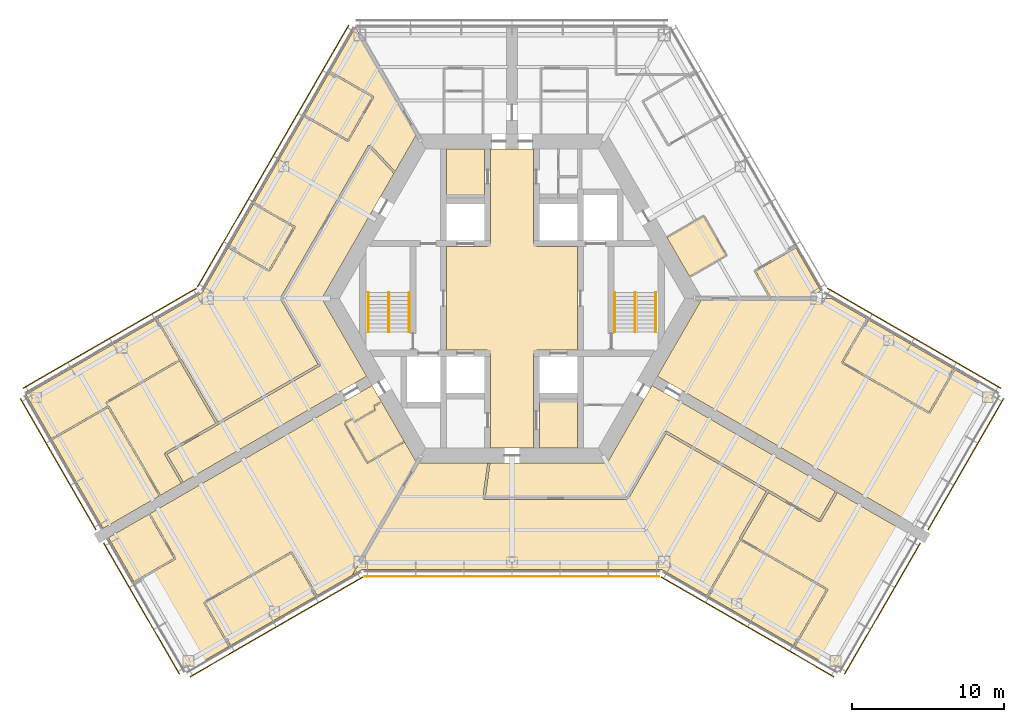
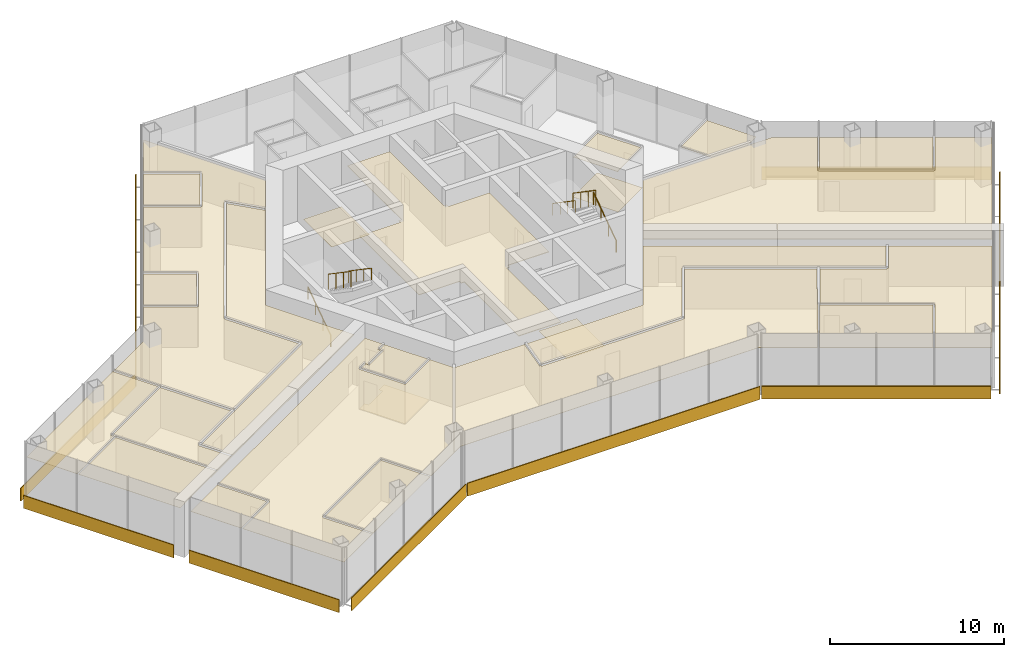
# One storey, part 17 of 18: 24 coverings, 10 shading devices, 6 railings.
"""IFC4 building model written with IfcOpenShell, lengths in metres."""

from ifc_helpers import new_model, si_unit, direction, frame, origin, origin_2d, place, context, subcontext, project, spatial, polyline, rectangle, circle, outline, extrude, material, layer, layer_set, type_object, element, save


model = new_model("IFC4")

# Units and contexts
model_context = context("Model", 3, precision=1e-05, world=origin(), true_north=direction((0.0, 1.0)))
body_context = subcontext(model_context, "Body", "Model", "MODEL_VIEW")
ifc_project = project(units=[si_unit("LENGTHUNIT", "METRE"), si_unit("AREAUNIT", "SQUARE_METRE"), si_unit("VOLUMEUNIT", "CUBIC_METRE"), si_unit("PLANEANGLEUNIT", "RADIAN"), si_unit("MASSUNIT", "GRAM", prefix="KILO")], contexts=[model_context])

# Site, building, storey
site_placement = place(None, origin())
site = spatial("IfcSite", under=ifc_project, at=site_placement, CompositionType="ELEMENT")
building_placement = place(site_placement, origin())
building = spatial("IfcBuilding", under=site, at=building_placement, Name="Kasaneha Research Tower", CompositionType="ELEMENT")
storey_placement = place(building_placement, frame((0.0, 0.0, 144.800048828125)))
storey = spatial("IfcBuildingStorey", under=building, at=storey_placement, Name="L36", CompositionType="ELEMENT", Elevation=144.800048828125)

# Covering
ifc_material_1 = material(Name="Aluminium panel ceiling", Category="aluminium")
ifc_layer_1 = layer(ifc_material_1, 0.0400390625)
ifc_layer_set_1 = layer_set([ifc_layer_1], Name="Lift lobby ceiling 40")
covering_type_1 = type_object("IfcCoveringType", Name="Lift lobby ceiling 40", PredefinedType="CEILING", material=ifc_layer_set_1)
covering_1_placement = place(storey_placement, frame((0.0, 0.0, 2.699951171875)))
element("IfcCovering", 1, at=covering_1_placement, inside=storey, type_object=covering_type_1, Name="Ceiling L36-01", PredefinedType="CEILING", context=body_context, shape_type="SweptSolid", body=[
    extrude(outline(polyline([(1.39990234375, 9.824951171875), (1.39990234375, 3.60009765625), (1.60009765625, 3.60009765625), (1.60009765625, 3.39990234375), (4.300048828125, 3.39990234375), (4.300048828125, -3.39990234375), (1.60009765625, -3.39990234375), (1.60009765625, -3.60009765625), (1.39990234375, -3.60009765625), (1.39990234375, -9.824951171875), (-1.39990234375, -9.824951171875), (-1.39990234375, -3.60009765625), (-1.60009765625, -3.60009765625), (-1.60009765625, -3.39990234375), (-4.300048828125, -3.39990234375), (-4.300048828125, 3.39990234375), (-1.60009765625, 3.39990234375), (-1.60009765625, 3.60009765625), (-1.39990234375, 3.60009765625), (-1.39990234375, 9.824951171875), (1.39990234375, 9.824951171875)])), origin(), (0.0, 0.0, 1.0), 0.0400390625),
])

# Railings
ifc_material_2 = material(Name="Steel", Category="steel")
railing_type_1 = type_object("IfcRailingType", Name="Stair balustrade 1100", PredefinedType="GUARDRAIL", material=ifc_material_2)
for number, where, name in (
    (2, (8.10009765625, 0.39990234375, 2.127197265625), "Stair 1 balustrade L36"),
    (3, (-8.10009765625, 0.39990234375, 2.127197265625), "Stair 2 balustrade L36"),
):
    element("IfcRailing", number, at=place(storey_placement, frame(where)), inside=storey, type_object=railing_type_1, Name=name, PredefinedType="GUARDRAIL", context=body_context, shape_type="SweptSolid", body=[
        extrude(circle(Radius=0.02392578125, at=origin_2d()), frame((0.0, 0.0, 1.076171875), z_axis=(0.0, -0.826215852431, 0.563353676824), x_axis=(1.0, 0.0, 0.0)), (0.0, 0.0, 1.0), 3.146728515625),
        extrude(circle(Radius=0.02099609375, at=origin_2d()), origin(), (0.0, 0.0, 1.0), 1.052001953125),
        extrude(circle(Radius=0.02099609375, at=origin_2d()), frame((0.0, -0.86669921875, 0.5908203125)), (0.0, 0.0, 1.0), 1.052001953125),
        extrude(circle(Radius=0.02099609375, at=origin_2d()), frame((0.0, -1.733154296875, 1.181884765625)), (0.0, 0.0, 1.0), 1.052001953125),
        extrude(circle(Radius=0.02099609375, at=origin_2d()), frame((0.0, -2.599853515625, 1.772705078125)), (0.0, 0.0, 1.0), 1.052001953125),
    ])
ifc_material_3 = material(Name="Steel", Category="steel")
railing_type_2 = type_object("IfcRailingType", Name="Stair handrail 850", PredefinedType="HANDRAIL", material=ifc_material_3)
railing_1_placement = place(storey_placement, frame((9.449951171875, -2.199951171875, 0.17724609375)))
element("IfcRailing", 4, at=railing_1_placement, inside=storey, type_object=railing_type_2, Name="Stair 1 handrail L36", PredefinedType="HANDRAIL", context=body_context, shape_type="SweptSolid", body=[
    extrude(circle(Radius=0.02392578125, at=origin_2d()), frame((0.0, 0.0, 0.826171875), z_axis=(0.0, 0.826215852431, 0.563353676824), x_axis=(-1.0, 0.0, 0.0)), (0.0, 0.0, 1.0), 3.146728515625),
    extrude(circle(Radius=0.02099609375, at=origin_2d()), origin(), (0.0, 0.0, 1.0), 0.802001953125),
    extrude(circle(Radius=0.02099609375, at=origin_2d()), frame((0.0, 0.86669921875, 0.5908203125)), (0.0, 0.0, 1.0), 0.802001953125),
    extrude(circle(Radius=0.02099609375, at=origin_2d()), frame((0.0, 1.733154296875, 1.181884765625)), (0.0, 0.0, 1.0), 0.802001953125),
    extrude(circle(Radius=0.02099609375, at=origin_2d()), frame((0.0, 2.599853515625, 1.772705078125)), (0.0, 0.0, 1.0), 0.802001953125),
])
railing_2_placement = place(storey_placement, frame((6.75, 0.39990234375, 2.127197265625)))
element("IfcRailing", 5, at=railing_2_placement, inside=storey, type_object=railing_type_2, Name="Stair 1 handrail L36", PredefinedType="HANDRAIL", context=body_context, shape_type="SweptSolid", body=[
    extrude(circle(Radius=0.02392578125, at=origin_2d()), frame((0.0, 0.0, 0.826171875), z_axis=(0.0, -0.826215852431, 0.563353676824), x_axis=(1.0, 0.0, 0.0)), (0.0, 0.0, 1.0), 3.146728515625),
    extrude(circle(Radius=0.02099609375, at=origin_2d()), origin(), (0.0, 0.0, 1.0), 0.802001953125),
    extrude(circle(Radius=0.02099609375, at=origin_2d()), frame((0.0, -0.86669921875, 0.5908203125)), (0.0, 0.0, 1.0), 0.802001953125),
    extrude(circle(Radius=0.02099609375, at=origin_2d()), frame((0.0, -1.733154296875, 1.181884765625)), (0.0, 0.0, 1.0), 0.802001953125),
    extrude(circle(Radius=0.02099609375, at=origin_2d()), frame((0.0, -2.599853515625, 1.772705078125)), (0.0, 0.0, 1.0), 0.802001953125),
])
railing_3_placement = place(storey_placement, frame((-9.449951171875, -2.199951171875, 0.17724609375)))
element("IfcRailing", 6, at=railing_3_placement, inside=storey, type_object=railing_type_2, Name="Stair 2 handrail L36", PredefinedType="HANDRAIL", context=body_context, shape_type="SweptSolid", body=[
    extrude(circle(Radius=0.02392578125, at=origin_2d()), frame((0.0, 0.0, 0.826171875), z_axis=(0.0, 0.826215852431, 0.563353676824), x_axis=(-1.0, 0.0, 0.0)), (0.0, 0.0, 1.0), 3.146728515625),
    extrude(circle(Radius=0.02099609375, at=origin_2d()), origin(), (0.0, 0.0, 1.0), 0.802001953125),
    extrude(circle(Radius=0.02099609375, at=origin_2d()), frame((0.0, 0.86669921875, 0.5908203125)), (0.0, 0.0, 1.0), 0.802001953125),
    extrude(circle(Radius=0.02099609375, at=origin_2d()), frame((0.0, 1.733154296875, 1.181884765625)), (0.0, 0.0, 1.0), 0.802001953125),
    extrude(circle(Radius=0.02099609375, at=origin_2d()), frame((0.0, 2.599853515625, 1.772705078125)), (0.0, 0.0, 1.0), 0.802001953125),
])
railing_4_placement = place(storey_placement, frame((-6.75, 0.39990234375, 2.127197265625)))
element("IfcRailing", 7, at=railing_4_placement, inside=storey, type_object=railing_type_2, Name="Stair 2 handrail L36", PredefinedType="HANDRAIL", context=body_context, shape_type="SweptSolid", body=[
    extrude(circle(Radius=0.02392578125, at=origin_2d()), frame((0.0, 0.0, 0.826171875), z_axis=(0.0, -0.826215852431, 0.563353676824), x_axis=(1.0, 0.0, 0.0)), (0.0, 0.0, 1.0), 3.146728515625),
    extrude(circle(Radius=0.02099609375, at=origin_2d()), origin(), (0.0, 0.0, 1.0), 0.802001953125),
    extrude(circle(Radius=0.02099609375, at=origin_2d()), frame((0.0, -0.86669921875, 0.5908203125)), (0.0, 0.0, 1.0), 0.802001953125),
    extrude(circle(Radius=0.02099609375, at=origin_2d()), frame((0.0, -1.733154296875, 1.181884765625)), (0.0, 0.0, 1.0), 0.802001953125),
    extrude(circle(Radius=0.02099609375, at=origin_2d()), frame((0.0, -2.599853515625, 1.772705078125)), (0.0, 0.0, 1.0), 0.802001953125),
])

# Coverings
ifc_material_4 = material(Name="Gypsum ceiling board", Category="gypsum")
ifc_layer_2 = layer(ifc_material_4, 0.02001953125)
ifc_layer_set_2 = layer_set([ifc_layer_2], Name="Suspended ceiling 20")
covering_type_2 = type_object("IfcCoveringType", Name="Suspended ceiling 20", PredefinedType="CEILING", material=ifc_layer_set_2)
covering_2_placement = place(storey_placement, frame((0.0, 0.0, 2.800048828125)))
element("IfcCovering", 8, at=covering_2_placement, inside=storey, type_object=covering_type_2, Name="Ceiling L36-27", PredefinedType="CEILING", context=body_context, shape_type="SweptSolid", body=[
    extrude(outline(polyline([(10.1748046875, 4.02685546875), (10.192138671875, 4.036865234375), (10.217041015625, 3.99365234375), (12.581298828125, 5.358642578125), (14.03125, 2.84716796875), (11.6669921875, 1.482177734375), (11.692138671875, 1.438720703125), (11.6748046875, 1.4287109375), (10.1748046875, 4.02685546875)])), origin(), (0.0, 0.0, 1.0), 0.02001953125),
])
covering_3_placement = place(storey_placement, frame((0.0, 0.0, 2.800048828125)))
element("IfcCovering", 9, at=covering_3_placement, inside=storey, type_object=covering_type_2, Name="Ceiling L36-29", PredefinedType="CEILING", context=body_context, shape_type="SweptSolid", body=[
    extrude(outline(polyline([(19.41845703125, 0.0), (16.997802734375, 0.0), (16.986328125, 0.02001953125), (17.029541015625, 0.044921875), (16.020751953125, 1.792236328125), (18.644775390625, 3.30712890625), (18.619873046875, 3.3505859375), (18.63720703125, 3.360595703125), (20.28759765625, 0.501708984375), (19.41845703125, 0.0)])), origin(), (0.0, 0.0, 1.0), 0.02001953125),
])
covering_4_placement = place(storey_placement, frame((0.0, 0.0, 2.800048828125)))
element("IfcCovering", 10, at=covering_4_placement, inside=storey, type_object=covering_type_2, Name="Ceiling L36-35", PredefinedType="CEILING", context=body_context, shape_type="SweptSolid", body=[
    extrude(outline(polyline([(-9.5498046875, -5.109375), (-10.3291015625, -5.559326171875), (-10.3291015625, -5.559326171875), (-12.17041015625, -6.622314453125), (-21.670166015625, -12.107177734375), (-21.68017578125, -12.08984375), (-21.615234375, -12.05224609375), (-22.667724609375, -10.229248046875), (-19.333984375, -8.3046875), (-19.333984375, -8.3046875), (-12.60400390625, -4.4189453125), (-12.6416015625, -4.35400390625), (-12.57666015625, -4.316650390625), (-15.06884765625, 0.0), (-9.345947265625, 9.912353515625), (-7.7890625, 8.24267578125), (-7.734130859375, 8.2939453125), (-7.719970703125, 8.278564453125), (-12.49951171875, 0.0), (-9.5498046875, -5.109375)])), origin(), (0.0, 0.0, 1.0), 0.02001953125),
])
covering_5_placement = place(storey_placement, frame((0.0, 0.0, 2.800048828125)))
element("IfcCovering", 11, at=covering_5_placement, inside=storey, type_object=covering_type_2, Name="Ceiling L36-36", PredefinedType="CEILING", context=body_context, shape_type="SweptSolid", body=[
    extrude(outline(polyline([(-12.000244140625, 14.85595703125), (-9.185791015625, 13.23095703125), (-10.80126953125, 10.432861328125), (-13.598388671875, 12.0478515625), (-13.623291015625, 12.004638671875), (-13.640869140625, 12.0146484375), (-12.000244140625, 14.85595703125)])), origin(), (0.0, 0.0, 1.0), 0.02001953125),
])
covering_6_placement = place(storey_placement, frame((0.0, 0.0, 2.800048828125)))
element("IfcCovering", 12, at=covering_6_placement, inside=storey, type_object=covering_type_2, Name="Ceiling L36-37", PredefinedType="CEILING", context=body_context, shape_type="SweptSolid", body=[
    extrude(outline(polyline([(-30.224609375, -9.290283203125), (-26.544677734375, -7.172119140625), (-23.19580078125, -12.96484375), (-23.15234375, -12.93994140625), (-23.142333984375, -12.95703125), (-25.3876953125, -14.25341796875), (-26.866455078125, -15.107177734375), (-30.224609375, -9.290283203125)])), origin(), (0.0, 0.0, 1.0), 0.02001953125),
])
covering_7_placement = place(storey_placement, frame((0.0, 0.0, 2.800048828125)))
element("IfcCovering", 13, at=covering_7_placement, inside=storey, type_object=covering_type_2, Name="Ceiling L36-38", PredefinedType="CEILING", context=body_context, shape_type="SweptSolid", body=[
    extrude(outline(polyline([(-16.99658203125, 6.201904296875), (-14.355224609375, 4.677001953125), (-15.970703125, 1.87890625), (-18.5947265625, 3.393798828125), (-18.619873046875, 3.3505859375), (-18.63720703125, 3.360595703125), (-16.99658203125, 6.201904296875)])), origin(), (0.0, 0.0, 1.0), 0.02001953125),
])
covering_8_placement = place(storey_placement, frame((0.0, 0.0, 2.800048828125)))
element("IfcCovering", 14, at=covering_8_placement, inside=storey, type_object=covering_type_2, Name="Ceiling L36-39", PredefinedType="CEILING", context=body_context, shape_type="SweptSolid", body=[
    extrude(outline(polyline([(-23.332275390625, -1.36962890625), (-23.37548828125, -1.39453125), (-21.866455078125, -4.017578125), (-26.691162109375, -6.808837890625), (-26.663818359375, -6.85595703125), (-26.525390625, -7.0966796875), (-26.52587890625, -7.096923828125), (-26.5478515625, -7.058349609375), (-30.275146484375, -9.203857421875), (-31.94189453125, -6.31689453125), (-29.075439453125, -4.661865234375), (-28.665771484375, -5.370849609375), (-29.074951171875, -4.662109375), (-23.34228515625, -1.352294921875), (-23.332275390625, -1.36962890625)])), origin(), (0.0, 0.0, 1.0), 0.02001953125),
])
covering_9_placement = place(storey_placement, frame((0.0, 0.0, 2.800048828125)))
element("IfcCovering", 15, at=covering_9_placement, inside=storey, type_object=covering_type_2, Name="Ceiling L36-40", PredefinedType="CEILING", context=body_context, shape_type="SweptSolid", body=[
    extrude(outline(polyline([(-9.360595703125, 10.037841796875), (-9.360595703125, 10.037841796875), (-9.425048828125, 10.0751953125), (-15.220458984375, 0.03759765625), (-15.15576171875, 0.000244140625), (-15.156005859375, 0.000244140625), (-15.15576171875, -0.000244140625), (-15.220458984375, -0.03759765625), (-12.744140625, -4.32666015625), (-19.33544921875, -8.13232421875), (-21.72900390625, -3.995849609375), (-21.7548828125, -4.0107421875), (-23.288818359375, -1.3447265625), (-23.331787109375, -1.369384765625), (-23.341796875, -1.35205078125), (-20.365966796875, 0.365966796875), (-18.637451171875, 3.360107421875), (-18.6201171875, 3.35009765625), (-18.644775390625, 3.30712890625), (-15.9775390625, 1.76708984375), (-15.952392578125, 1.810546875), (-15.9521484375, 1.810302734375), (-15.9521484375, 1.810302734375), (-15.9091796875, 1.785400390625), (-14.24365234375, 4.670166015625), (-14.28662109375, 4.695068359375), (-14.28662109375, 4.6953125), (-14.286865234375, 4.695556640625), (-14.261962890625, 4.738525390625), (-16.94677734375, 6.28857421875), (-13.64111328125, 12.01416015625), (-13.62353515625, 12.004150390625), (-13.6484375, 11.961181640625), (-10.807861328125, 10.3212890625), (-10.782958984375, 10.3642578125), (-10.78271484375, 10.364013671875), (-10.782470703125, 10.3642578125), (-10.739501953125, 10.339599609375), (-9.07421875, 13.22412109375), (-9.116943359375, 13.2490234375), (-9.116943359375, 13.2490234375), (-9.117431640625, 13.249267578125), (-9.09228515625, 13.29248046875), (-11.9501953125, 14.9423828125), (-10.28857421875, 17.820556640625), (-6.249755859375, 10.824951171875), (-7.6806640625, 8.346435546875), (-9.305419921875, 10.0888671875), (-9.360107421875, 10.03759765625), (-9.3603515625, 10.03759765625), (-9.360595703125, 10.037841796875)])), origin(), (0.0, 0.0, 1.0), 0.02001953125),
])
covering_10_placement = place(storey_placement, frame((0.0, 0.0, 2.800048828125)))
element("IfcCovering", 16, at=covering_10_placement, inside=storey, type_object=covering_type_2, Name="Ceiling L36-41", PredefinedType="CEILING", context=body_context, shape_type="SweptSolid", body=[
    extrude(outline(polyline([(-22.574462890625, -12.629150390625), (-23.14208984375, -12.956787109375), (-23.152099609375, -12.939453125), (-23.109130859375, -12.914794921875), (-26.48583984375, -7.073974609375), (-26.52490234375, -7.096435546875), (-26.65966796875, -6.863037109375), (-26.64111328125, -6.895263671875), (-21.833740234375, -4.1142578125), (-19.46533203125, -8.207275390625), (-22.8076171875, -10.136962890625), (-22.770263671875, -10.201904296875), (-22.835205078125, -10.239501953125), (-21.7451171875, -12.127197265625), (-21.6806640625, -12.090087890625), (-21.670654296875, -12.107421875), (-22.574462890625, -12.629150390625)])), origin(), (0.0, 0.0, 1.0), 0.02001953125),
])
covering_11_placement = place(storey_placement, frame((0.0, 0.0, 2.800048828125)))
element("IfcCovering", 17, at=covering_11_placement, inside=storey, type_object=covering_type_2, Name="Ceiling L36-42", PredefinedType="CEILING", context=body_context, shape_type="SweptSolid", body=[
    extrude(outline(polyline([(-10.35498046875, -8.11474609375), (-10.35498046875, -8.11474609375), (-10.330078125, -8.157958984375), (-8.9443359375, -7.35791015625), (-8.994384765625, -7.271240234375), (-8.994384765625, -7.271240234375), (-9.09423828125, -7.09814453125), (-9.09423828125, -7.09814453125), (-9.0693359375, -7.141357421875), (-8.56689453125, -6.851318359375), (-8.592041015625, -6.80810546875), (-8.57470703125, -6.798095703125), (-7.07470703125, -9.396240234375), (-7.092041015625, -9.40625), (-7.116943359375, -9.36279296875), (-9.481201171875, -10.727783203125), (-10.931396484375, -8.21630859375), (-10.455078125, -7.94140625), (-10.35498046875, -8.11474609375)])), origin(), (0.0, 0.0, 1.0), 0.02001953125),
])
covering_12_placement = place(storey_placement, frame((0.0, 0.0, 2.800048828125)))
element("IfcCovering", 18, at=covering_12_placement, inside=storey, type_object=covering_type_2, Name="Ceiling L36-43", PredefinedType="CEILING", context=body_context, shape_type="SweptSolid", body=[
    extrude(outline(polyline([(-18.574951171875, -22.8486328125), (-18.5849609375, -22.831298828125), (-18.541748046875, -22.806396484375), (-20.15673828125, -20.009033203125), (-14.510498046875, -16.749267578125), (-12.885498046875, -19.563720703125), (-18.574951171875, -22.8486328125)])), origin(), (0.0, 0.0, 1.0), 0.02001953125),
])
covering_13_placement = place(storey_placement, frame((0.0, 0.0, 2.800048828125)))
element("IfcCovering", 19, at=covering_13_placement, inside=storey, type_object=covering_type_2, Name="Ceiling L36-44", PredefinedType="CEILING", context=body_context, shape_type="SweptSolid", body=[
    extrude(outline(polyline([(-23.83154296875, -14.163330078125), (-23.82177734375, -14.1806640625), (-23.864990234375, -14.205810546875), (-22.208251953125, -17.0751953125), (-24.849609375, -18.60009765625), (-26.516357421875, -15.71337890625), (-23.83154296875, -14.163330078125)])), origin(), (0.0, 0.0, 1.0), 0.02001953125),
])
covering_14_placement = place(storey_placement, frame((0.0, 0.0, 2.800048828125)))
element("IfcCovering", 20, at=covering_14_placement, inside=storey, type_object=covering_type_2, Name="Ceiling L36-45", PredefinedType="CEILING", context=body_context, shape_type="SweptSolid", body=[
    extrude(outline(polyline([(-9.979248046875, -6.16552734375), (-9.979248046875, -6.16552734375), (-9.19970703125, -5.715576171875), (-8.574951171875, -6.797607421875), (-8.59228515625, -6.8076171875), (-8.616943359375, -6.764892578125), (-9.119384765625, -7.0546875), (-9.094482421875, -7.09765625), (-9.0947265625, -7.097900390625), (-8.99462890625, -7.271484375), (-10.379638671875, -8.071044921875), (-10.47998046875, -7.897705078125), (-10.480224609375, -7.897705078125), (-10.5048828125, -7.854736328125), (-11.024658203125, -8.15478515625), (-10.999755859375, -8.19775390625), (-11.0, -8.197998046875), (-11.0, -8.1982421875), (-11.04296875, -8.22314453125), (-9.54296875, -10.8212890625), (-9.5, -10.79638671875), (-9.5, -10.796630859375), (-9.49951171875, -10.79638671875), (-9.474609375, -10.839599609375), (-7.06689453125, -9.449462890625), (-7.091796875, -9.40673828125), (-7.074462890625, -9.396728515625), (-6.249755859375, -10.824951171875), (-10.5, -18.1865234375), (-12.798828125, -19.513916015625), (-14.448974609375, -16.656005859375), (-14.4921875, -16.680908203125), (-14.51708984375, -16.6376953125), (-20.25, -19.947509765625), (-20.225341796875, -19.990234375), (-20.225341796875, -19.990478515625), (-20.22509765625, -19.99072265625), (-20.268310546875, -20.015625), (-18.62841796875, -22.856201171875), (-18.58544921875, -22.83154296875), (-18.575439453125, -22.848876953125), (-21.44140625, -24.50341796875), (-24.7998046875, -18.686767578125), (-22.114990234375, -17.13671875), (-22.139892578125, -17.09375), (-22.139404296875, -17.093505859375), (-22.1396484375, -17.09326171875), (-22.0966796875, -17.068359375), (-23.7783203125, -14.15576171875), (-23.8212890625, -14.180419921875), (-23.831298828125, -14.1630859375), (-10.84521484375, -6.66552734375), (-10.84521484375, -6.66552734375), (-9.979248046875, -6.16552734375)])), origin(), (0.0, 0.0, 1.0), 0.02001953125),
])
covering_15_placement = place(storey_placement, frame((0.0, 0.0, 2.800048828125)))
element("IfcCovering", 21, at=covering_15_placement, inside=storey, type_object=covering_type_2, Name="Ceiling L36-46", PredefinedType="CEILING", context=body_context, shape_type="SweptSolid", body=[
    extrude(outline(polyline([(29.03173828125, -4.636962890625), (27.40673828125, -7.45166015625), (21.760498046875, -4.19189453125), (23.37548828125, -1.39453125), (23.332275390625, -1.36962890625), (23.34228515625, -1.352294921875), (29.03173828125, -4.636962890625)])), origin(), (0.0, 0.0, 1.0), 0.02001953125),
])
covering_16_placement = place(storey_placement, frame((0.0, 0.0, 2.800048828125)))
element("IfcCovering", 22, at=covering_16_placement, inside=storey, type_object=covering_type_2, Name="Ceiling L36-47", PredefinedType="CEILING", context=body_context, shape_type="SweptSolid", body=[
    extrude(outline(polyline([(9.5498046875, -5.109375), (12.49951171875, 0.0), (16.93994140625, 0.0), (16.94287109375, -0.0048828125), (16.95166015625, 0.0), (21.0, 0.0), (23.341796875, -1.35205078125), (23.331787109375, -1.369384765625), (23.288818359375, -1.344482421875), (21.64892578125, -4.185302734375), (21.692138671875, -4.210205078125), (21.69189453125, -4.21044921875), (21.69189453125, -4.210693359375), (21.667236328125, -4.25341796875), (27.39990234375, -7.563232421875), (27.425048828125, -7.52001953125), (27.46826171875, -7.544921875), (29.1181640625, -4.68701171875), (31.94140625, -6.31689453125), (26.866455078125, -15.107177734375), (14.286376953125, -7.843994140625), (10.3291015625, -5.559326171875), (10.3291015625, -5.559326171875), (9.5498046875, -5.109375)])), origin(), (0.0, 0.0, 1.0), 0.02001953125),
])
covering_17_placement = place(storey_placement, frame((0.0, 0.0, 2.800048828125)))
element("IfcCovering", 23, at=covering_17_placement, inside=storey, type_object=covering_type_2, Name="Ceiling L36-48", PredefinedType="CEILING", context=body_context, shape_type="SweptSolid", body=[
    extrude(outline(polyline([(10.091552734375, -8.77099609375), (10.026611328125, -8.7333984375), (7.534423828125, -13.050048828125), (-1.75830078125, -13.050048828125), (-1.449951171875, -10.85546875), (-1.524169921875, -10.844970703125), (-1.521240234375, -10.824951171875), (6.249755859375, -10.824951171875), (9.19970703125, -5.715576171875), (9.979248046875, -6.16552734375), (9.979248046875, -6.16552734375), (10.84521484375, -6.66552734375), (10.84521484375, -6.66552734375), (16.76171875, -10.08154296875), (21.320068359375, -12.71337890625), (21.310302734375, -12.730712890625), (21.245361328125, -12.693115234375), (20.19287109375, -14.51611328125), (16.850341796875, -12.58642578125), (16.850341796875, -12.58642578125), (10.129150390625, -8.7060546875), (10.091552734375, -8.77099609375), (10.091552734375, -8.770751953125), (10.091552734375, -8.77099609375)])), origin(), (0.0, 0.0, 1.0), 0.02001953125),
])
covering_18_placement = place(storey_placement, frame((0.0, 0.0, 2.800048828125)))
element("IfcCovering", 24, at=covering_18_placement, inside=storey, type_object=covering_type_2, Name="Ceiling L36-49", PredefinedType="CEILING", context=body_context, shape_type="SweptSolid", body=[
    extrude(outline(polyline([(12.885498046875, -19.563720703125), (15.012451171875, -15.889404296875), (20.65673828125, -19.14306640625), (18.541748046875, -22.806396484375), (18.5849609375, -22.831298828125), (18.574951171875, -22.8486328125), (12.885498046875, -19.563720703125)])), origin(), (0.0, 0.0, 1.0), 0.02001953125),
])
covering_19_placement = place(storey_placement, frame((0.0, 0.0, 2.800048828125)))
element("IfcCovering", 25, at=covering_19_placement, inside=storey, type_object=covering_type_2, Name="Ceiling L36-50", PredefinedType="CEILING", context=body_context, shape_type="SweptSolid", body=[
    extrude(outline(polyline([(-6.249755859375, -10.824951171875), (-1.52197265625, -10.824951171875), (-1.524658203125, -10.844970703125), (-1.598388671875, -10.83447265625), (-1.9189453125, -13.114501953125), (-1.8447265625, -13.125), (-1.8447265625, -13.12548828125), (-1.844482421875, -13.12548828125), (-1.844482421875, -13.199951171875), (7.57763671875, -13.199951171875), (7.57763671875, -13.12548828125), (7.577880859375, -13.12548828125), (7.577880859375, -13.125244140625), (7.642578125, -13.16259765625), (10.119140625, -8.873291015625), (16.71044921875, -12.678955078125), (14.9248046875, -15.78125), (14.95068359375, -15.796142578125), (12.798828125, -19.513916015625), (9.865966796875, -17.820556640625), (-9.865966796875, -17.820556640625), (-10.5, -18.1865234375), (-6.249755859375, -10.824951171875)])), origin(), (0.0, 0.0, 1.0), 0.02001953125),
])
covering_20_placement = place(storey_placement, frame((0.0, 0.0, 2.800048828125)))
element("IfcCovering", 26, at=covering_20_placement, inside=storey, type_object=covering_type_2, Name="Ceiling L36-51", PredefinedType="CEILING", context=body_context, shape_type="SweptSolid", body=[
    extrude(outline(polyline([(20.220458984375, -14.61865234375), (20.28515625, -14.656005859375), (21.375244140625, -12.768310546875), (21.310546875, -12.73095703125), (21.320556640625, -12.713623046875), (25.57421875, -15.16943359375), (26.516357421875, -15.71337890625), (21.44140625, -24.50341796875), (18.575439453125, -22.848876953125), (18.58544921875, -22.83154296875), (18.62841796875, -22.856201171875), (20.768310546875, -19.149658203125), (20.72509765625, -19.124755859375), (20.725341796875, -19.12451171875), (20.725341796875, -19.124267578125), (20.75, -19.081298828125), (15.079833984375, -15.812744140625), (16.84033203125, -12.75390625), (20.1826171875, -14.68359375), (20.219970703125, -14.618896484375), (20.22021484375, -14.619140625), (20.220458984375, -14.61865234375)])), origin(), (0.0, 0.0, 1.0), 0.02001953125),
])

# Shading devices
ifc_material_5 = material(Name="Terracotta", Category="masonry")
ifc_layer_3 = layer(ifc_material_5, 0.06005859375)
ifc_layer_set_3 = layer_set([ifc_layer_3], Name="Terracotta baguette screen")
shading_device_type = type_object("IfcShadingDeviceType", Name="Terracotta baguette screen", PredefinedType="USERDEFINED", material=ifc_layer_set_3)
shading_device_1_placement = place(storey_placement, frame((0.0, -18.2705078125, -0.449951171875), z_axis=(0.0, 0.0, 1.0), x_axis=(1.0, 0.0, 0.0)))
element("IfcShadingDevice", 27, at=shading_device_1_placement, inside=storey, type_object=shading_device_type, Name="Baguette screen L36 01", ObjectType="TERRACOTTA BAGUETTE SCREEN", PredefinedType="USERDEFINED", context=body_context, shape_type="SweptSolid", body=[
    extrude(rectangle(XDim=19.37841796875, YDim=0.06005859375, at=origin_2d()), origin(), (0.0, 0.0, 1.0), 0.89990234375),
])
shading_device_2_placement = place(storey_placement, frame((15.483642578125, -21.58349609375, -0.449951171875), z_axis=(0.0, 0.0, 1.0), x_axis=(0.866025411464, -0.499999986699, 0.0)))
element("IfcShadingDevice", 28, at=shading_device_2_placement, inside=storey, type_object=shading_device_type, Name="Baguette screen L36 02", ObjectType="TERRACOTTA BAGUETTE SCREEN", PredefinedType="USERDEFINED", context=body_context, shape_type="SweptSolid", body=[
    extrude(rectangle(XDim=13.13916015625, YDim=0.06005859375, at=origin_2d()), origin(), (0.0, 0.0, 1.0), 0.89990234375),
])
for number, where, z_axis, x_axis, name in (
    (29, (24.343505859375, -20.376708984375, -0.449951171875), (0.0, 0.0, 1.0), (0.500000011442, 0.866025397178, 0.0), "Baguette screen L36 03"),
    (30, (29.818603515625, -10.893798828125, -0.449951171875), (0.0, 0.0, 1.0), (0.500000011442, 0.866025397178, 0.0), "Baguette screen L36 04"),
):
    element("IfcShadingDevice", number, at=place(storey_placement, frame(where, z_axis=z_axis, x_axis=x_axis)), inside=storey, type_object=shading_device_type, Name=name, ObjectType="TERRACOTTA BAGUETTE SCREEN", PredefinedType="USERDEFINED", context=body_context, shape_type="SweptSolid", body=[
        extrude(rectangle(XDim=9.949951171875, YDim=0.06005859375, at=origin_2d()), origin(), (0.0, 0.0, 1.0), 0.89990234375),
    ])
shading_device_3_placement = place(storey_placement, frame((26.43359375, -2.617431640625, -0.449951171875), z_axis=(0.0, 0.0, 1.0), x_axis=(-0.866025411464, 0.499999986699, 0.0)))
element("IfcShadingDevice", 31, at=shading_device_3_placement, inside=storey, type_object=shading_device_type, Name="Baguette screen L36 05", ObjectType="TERRACOTTA BAGUETTE SCREEN", PredefinedType="USERDEFINED", context=body_context, shape_type="SweptSolid", body=[
    extrude(rectangle(XDim=13.13916015625, YDim=0.06005859375, at=origin_2d()), origin(), (0.0, 0.0, 1.0), 0.89990234375),
])
shading_device_4_placement = place(storey_placement, frame((-15.696044921875, 9.35498046875, -0.449951171875), z_axis=(0.0, 0.0, 1.0), x_axis=(-0.499999979232, -0.866025415775, 0.0)))
element("IfcShadingDevice", 32, at=shading_device_4_placement, inside=storey, type_object=shading_device_type, Name="Baguette screen L36 08", ObjectType="TERRACOTTA BAGUETTE SCREEN", PredefinedType="USERDEFINED", context=body_context, shape_type="SweptSolid", body=[
    extrude(rectangle(XDim=19.8857421875, YDim=0.06005859375, at=origin_2d()), origin(), (0.0, 0.0, 1.0), 0.89990234375),
])
shading_device_5_placement = place(storey_placement, frame((-26.43359375, -2.617431640625, -0.449951171875), z_axis=(0.0, 0.0, 1.0), x_axis=(-0.866025411464, -0.499999986699, 0.0)))
element("IfcShadingDevice", 33, at=shading_device_5_placement, inside=storey, type_object=shading_device_type, Name="Baguette screen L36 09", ObjectType="TERRACOTTA BAGUETTE SCREEN", PredefinedType="USERDEFINED", context=body_context, shape_type="SweptSolid", body=[
    extrude(rectangle(XDim=13.13916015625, YDim=0.06005859375, at=origin_2d()), origin(), (0.0, 0.0, 1.0), 0.89990234375),
])
for number, where, z_axis, x_axis, name in (
    (34, (-29.818603515625, -10.893798828125, -0.449951171875), (0.0, 0.0, 1.0), (0.500000011442, -0.866025397178, 0.0), "Baguette screen L36 10"),
    (35, (-24.343505859375, -20.376708984375, -0.449951171875), (0.0, 0.0, 1.0), (0.500000011442, -0.866025397178, 0.0), "Baguette screen L36 11"),
):
    element("IfcShadingDevice", number, at=place(storey_placement, frame(where, z_axis=z_axis, x_axis=x_axis)), inside=storey, type_object=shading_device_type, Name=name, ObjectType="TERRACOTTA BAGUETTE SCREEN", PredefinedType="USERDEFINED", context=body_context, shape_type="SweptSolid", body=[
        extrude(rectangle(XDim=9.949951171875, YDim=0.06005859375, at=origin_2d()), origin(), (0.0, 0.0, 1.0), 0.89990234375),
    ])
shading_device_6_placement = place(storey_placement, frame((-15.483642578125, -21.58349609375, -0.449951171875), z_axis=(0.0, 0.0, 1.0), x_axis=(0.866025411464, 0.499999986699, 0.0)))
element("IfcShadingDevice", 36, at=shading_device_6_placement, inside=storey, type_object=shading_device_type, Name="Baguette screen L36 12", ObjectType="TERRACOTTA BAGUETTE SCREEN", PredefinedType="USERDEFINED", context=body_context, shape_type="SweptSolid", body=[
    extrude(rectangle(XDim=13.13916015625, YDim=0.06005859375, at=origin_2d()), origin(), (0.0, 0.0, 1.0), 0.89990234375),
])

# Coverings
ifc_material_6 = material(Name="Vinyl sheet flooring", Category="plastic")
ifc_layer_4 = layer(ifc_material_6, 0.0048828125)
ifc_layer_set_4 = layer_set([ifc_layer_4], Name="Wet room sheet flooring 5")
covering_type_3 = type_object("IfcCoveringType", Name="Wet room sheet flooring 5", PredefinedType="FLOORING", material=ifc_layer_set_4)
covering_21_placement = place(storey_placement, origin())
element("IfcCovering", 37, at=covering_21_placement, inside=storey, type_object=covering_type_3, Name="Floor finish L36-06", PredefinedType="FLOORING", context=body_context, shape_type="SweptSolid", body=[
    extrude(outline(polyline([(-1.800048828125, 9.824951171875), (-1.800048828125, 6.60009765625), (-4.300048828125, 6.60009765625), (-4.300048828125, 9.824951171875), (-1.800048828125, 9.824951171875)])), origin(), (0.0, 0.0, 1.0), 0.0048828125),
])
covering_22_placement = place(storey_placement, origin())
element("IfcCovering", 38, at=covering_22_placement, inside=storey, type_object=covering_type_3, Name="Floor finish L36-11", PredefinedType="FLOORING", context=body_context, shape_type="SweptSolid", body=[
    extrude(outline(polyline([(1.800048828125, -9.824951171875), (1.800048828125, -6.60009765625), (4.300048828125, -6.60009765625), (4.300048828125, -9.824951171875), (1.800048828125, -9.824951171875)])), origin(), (0.0, 0.0, 1.0), 0.0048828125),
])
covering_23_placement = place(storey_placement, origin())
element("IfcCovering", 39, at=covering_23_placement, inside=storey, type_object=covering_type_3, Name="Floor finish L36-27", PredefinedType="FLOORING", context=body_context, shape_type="SweptSolid", body=[
    extrude(outline(polyline([(14.099609375, 2.828857421875), (11.6748046875, 1.4287109375), (10.1748046875, 4.02685546875), (12.599609375, 5.4267578125), (14.099609375, 2.828857421875)])), origin(), (0.0, 0.0, 1.0), 0.0048828125),
])
covering_24_placement = place(storey_placement, origin())
element("IfcCovering", 40, at=covering_24_placement, inside=storey, type_object=covering_type_3, Name="Floor finish L36-42", PredefinedType="FLOORING", context=body_context, shape_type="SweptSolid", body=[
    extrude(outline(polyline([(-10.99951171875, -8.1982421875), (-10.47998046875, -7.898193359375), (-10.35498046875, -8.11474609375), (-8.96923828125, -7.314697265625), (-9.09423828125, -7.09814453125), (-8.57470703125, -6.798095703125), (-7.07470703125, -9.396240234375), (-9.49951171875, -10.796142578125), (-10.99951171875, -8.1982421875)])), origin(), (0.0, 0.0, 1.0), 0.0048828125),
])

save(model, "model.ifc")
